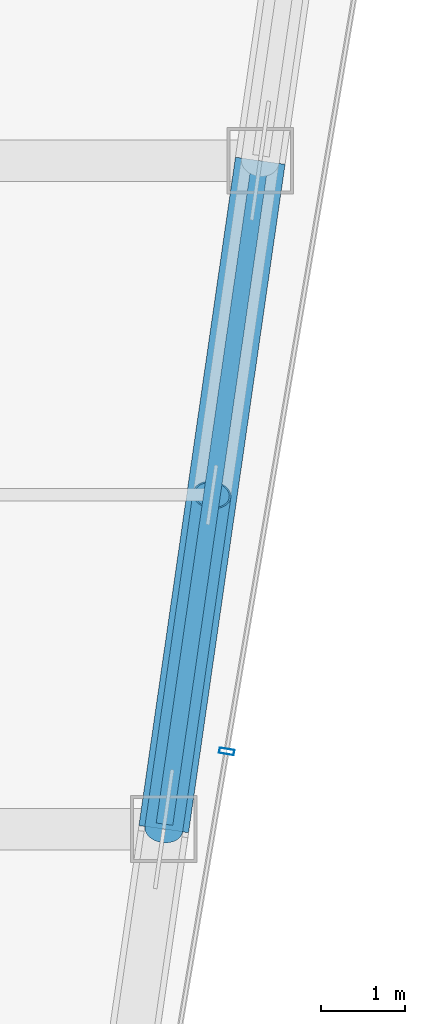
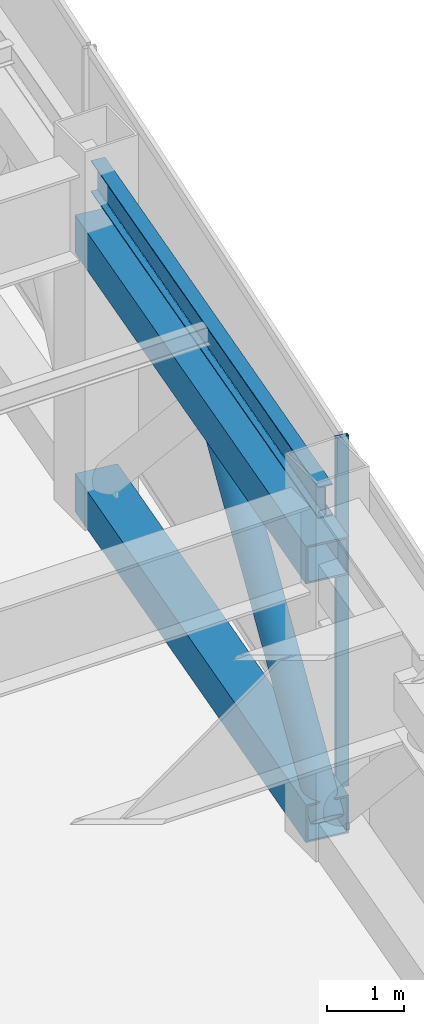
# One storey, part 18 of 34: 4 members, 1 beam, 1 element without a shape of its own.
"""IFC4 building model written with IfcOpenShell, lengths in metres."""

from ifc_helpers import new_model, si_unit, direction, frame, origin, origin_2d, place, context, subcontext, project, spatial, hollow_rectangle, hollow_circle, i_section, extrude, material, material_profile, profile_set, type_object, element, aggregate, save


model = new_model("IFC4")

# Units and contexts
model_context = context("Model", 3, precision=1e-05, world=origin(), true_north=direction((0.0, 1.0)))
body_context = subcontext(model_context, "Body", "Model", "MODEL_VIEW")
ifc_project = project(units=[si_unit("LENGTHUNIT", "METRE"), si_unit("AREAUNIT", "SQUARE_METRE"), si_unit("VOLUMEUNIT", "CUBIC_METRE"), si_unit("PLANEANGLEUNIT", "RADIAN"), si_unit("MASSUNIT", "GRAM", prefix="KILO")], contexts=[model_context])

# Site, building, storey
site_placement = place(None, origin())
site = spatial("IfcSite", under=ifc_project, at=site_placement, CompositionType="ELEMENT")
building_placement = place(site_placement, origin())
building = spatial("IfcBuilding", under=site, at=building_placement, Name="Saevonmaru Cultural Tower", CompositionType="ELEMENT")
storey_placement = place(building_placement, frame((0.0, 0.0, 224.60009765625)))
storey = spatial("IfcBuildingStorey", under=building, at=storey_placement, Name="L52", CompositionType="ELEMENT", Elevation=224.60009765625)

# Beam
ifc_material_1 = material(Name="Steel SM355", Category="steel")
ifc_material_profile_1 = material_profile(ifc_material_1, i_section(OverallWidth=0.199951171875, OverallDepth=0.5, WebThickness=0.010009765625, FlangeThickness=0.01611328125, FilletRadius=0.02001953125, at=origin_2d()), Name="H-500x200x10x16")
ifc_profile_set_1 = profile_set([ifc_material_profile_1], Name="Steel SM355")
beam_type = type_object("IfcBeamType", Name="BM-SP-H500", PredefinedType="SPANDREL", material=ifc_profile_set_1)
beam_placement = place(storey_placement, frame((50.53662109375, 24.059326171875, 5.2998046875), z_axis=(0.142871999001, 0.989741174197, 0.0), x_axis=(-0.989741174197, 0.142871999001, 0.0)))
element("IfcBeam", 1, at=beam_placement, inside=storey, type_object=beam_type, Name="L52 East Splayed Spandrel 2", PredefinedType="SPANDREL", context=body_context, shape_type="SweptSolid", body=[
    extrude(i_section(OverallWidth=0.199951171875, OverallDepth=0.5, WebThickness=0.010009765625, FlangeThickness=0.01611328125, FilletRadius=0.02001953125, at=origin_2d()), origin(), (0.0, 0.0, 1.0), 7.963134765625),
])

# Members
ifc_material_2 = material(Name="Steel SM420", Category="steel")
ifc_material_profile_2 = material_profile(ifc_material_2, hollow_circle(Radius=0.228515625, WallThickness=0.02001953125, at=origin_2d()), Name="CHS-457.2x20")
ifc_profile_set_2 = profile_set([ifc_material_profile_2], Name="Steel SM420")
member_type_1 = type_object("IfcMemberType", Name="MB-BBR-CHS457", PredefinedType="BRACE", material=ifc_profile_set_2)
member_1_placement = place(storey_placement, frame((50.528076171875, 24.0, 0.2998046875), z_axis=(0.100208326032, 0.694800344356, 0.712187315864), x_axis=(-0.989758915483, 0.142749042803, 0.0)))
element("IfcMember", 2, at=member_1_placement, inside=storey, type_object=member_type_1, Name="L52 Belt Truss Diagonal BE2-1", PredefinedType="BRACE", context=body_context, shape_type="SweptSolid", body=[
    extrude(hollow_circle(Radius=0.228515625, WallThickness=0.02001953125, at=origin_2d()), origin(), (0.0, 0.0, 1.0), 5.757080078125),
])
ifc_material_profile_3 = material_profile(ifc_material_2, hollow_rectangle(XDim=0.60009765625, YDim=0.60009765625, WallThickness=0.028076171875, at=origin_2d()), Name="BOX-600x600x28")
ifc_profile_set_3 = profile_set([ifc_material_profile_3], Name="Steel SM420")
member_type_2 = type_object("IfcMemberType", Name="MB-BCH-BOX600", PredefinedType="CHORD", material=ifc_profile_set_3)
for number, where, z_axis, x_axis, name in (
    (3, (50.528076171875, 24.0, 0.2998046875), (0.142896985758, 0.989737566965, 0.0), (-0.989737566965, 0.142896985758, 0.0), "L52 Belt Truss Bottom Chord BE2"),
    (4, (50.528076171875, 24.0, 4.39990234375), (0.142896985758, 0.989737566965, 0.0), (-0.989737566965, 0.142896985758, 0.0), "L52 Belt Truss Top Chord BE2"),
):
    element("IfcMember", number, at=place(storey_placement, frame(where, z_axis=z_axis, x_axis=x_axis)), inside=storey, type_object=member_type_2, Name=name, PredefinedType="CHORD", context=body_context, shape_type="SweptSolid", body=[
        extrude(hollow_rectangle(XDim=0.60009765625, YDim=0.60009765625, WallThickness=0.028076171875, at=origin_2d()), origin(), (0.0, 0.0, 1.0), 8.0830078125),
    ])

# Curtain wall, member
ifc_material_3 = material(Name="Satin Bronze Anodised Aluminium", Category="aluminium")
curtain_wall_type = type_object("IfcCurtainWallType", Name="CW-TYP-B", PredefinedType="NOTDEFINED", material=ifc_material_3)
curtain_wall_placement = place(storey_placement, origin())
curtain_wall = element("IfcCurtainWall", 5, at=curtain_wall_placement, inside=storey, type_object=curtain_wall_type, Name="L52 Wind-Floor Acoustic Louvre Screen E8", PredefinedType="NOTDEFINED")
ifc_material_profile_4 = material_profile(ifc_material_3, hollow_rectangle(XDim=0.06494140625, YDim=0.179931640625, WallThickness=0.00390625, at=origin_2d()), Name="ALU-MULL-180x65x4")
ifc_profile_set_4 = profile_set([ifc_material_profile_4], Name="Satin Bronze Anodised Aluminium")
member_type_3 = type_object("IfcMemberType", Name="ML-CW-180x65", PredefinedType="MULLION", material=ifc_profile_set_4)
member_2_placement = place(storey_placement, frame((51.28173828125, 24.9296875, 0.0), z_axis=(0.0, 0.0, 1.0), x_axis=(0.16692169721, 0.985970155228, 0.0)))
member_2 = element("IfcMember", 6, at=member_2_placement, type_object=member_type_3, Name="CW-TW-L52-E8 mullion 2", PredefinedType="MULLION", context=body_context, shape_type="SweptSolid", body=[
    extrude(hollow_rectangle(XDim=0.06494140625, YDim=0.179931640625, WallThickness=0.00390625, at=origin_2d()), origin(), (0.0, 0.0, 1.0), 5.5498046875),
])
aggregate(curtain_wall, [member_2])

save(model, "model.ifc")
